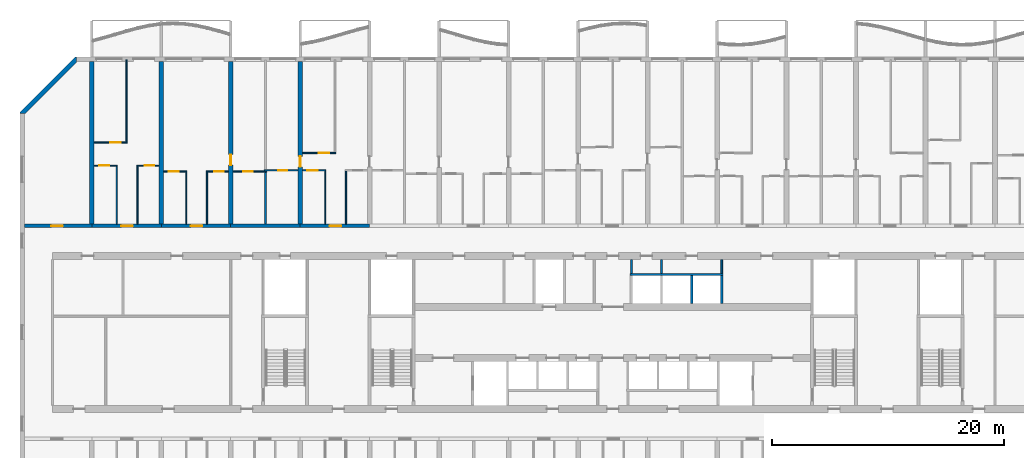
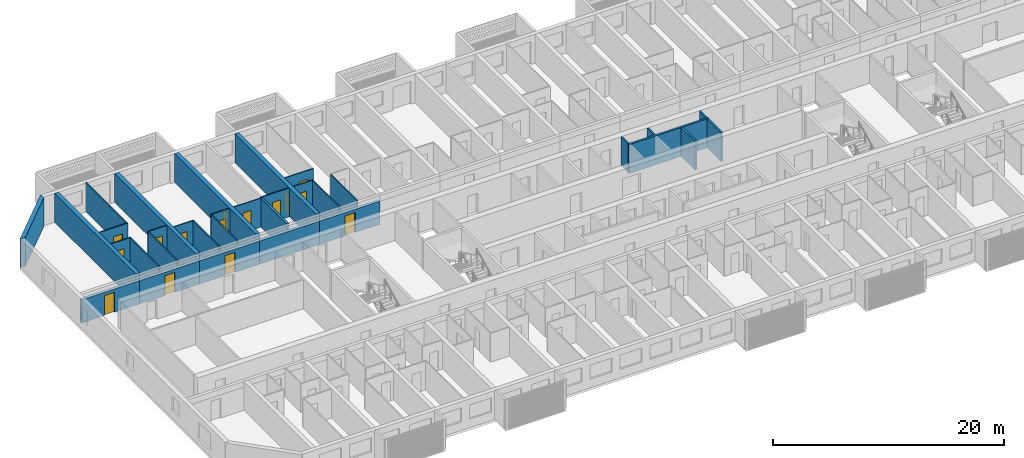
# One storey, part 10 of 40: 33 walls, 15 doors, 15 openings.
"""IFC4 building model written with IfcOpenShell, lengths in metres."""

import ifcopenshell
import ifcopenshell.guid

model = None  # the IFC model being written
_history = None  # IfcOwnerHistory: only IFC2X3 demands one
_inside = {}  # id of a spatial element -> (the spatial element, [elements in it])
_under = {}  # id of a project, library or spatial element -> (it, [spatial elements below it])
_declared = {}  # id of a project -> (the project, [libraries it declares])
_typed = {}  # id of a type object -> (the type object, [elements of that type])
_made_of = {}  # id of a material, layer set ... -> (it, [elements and type objects made of it])


def new_model(schema):
    """Start an empty IFC model of exactly this schema.

    Asked for "IFC4X3", IfcOpenShell would pick the latest addendum, in which some entities
    have other attributes; the version numbers below select the first issue.
    IFC2X3 requires an IfcOwnerHistory on every rooted entity: one is made here for all.
    """
    global model, _history
    if schema == "IFC4X3":
        model = ifcopenshell.file(schema_version=(4, 3, 0, 0))
    else:
        model = ifcopenshell.file(schema=schema)
    _inside.clear()
    _under.clear()
    _declared.clear()
    _typed.clear()
    _made_of.clear()
    _history = None
    if model.schema == "IFC2X3":
        org = make("IfcOrganization", Name="unknown")
        user = make(
            "IfcPersonAndOrganization",
            ThePerson=make("IfcPerson", FamilyName="unknown"),
            TheOrganization=org,
        )
        app = make(
            "IfcApplication",
            ApplicationDeveloper=org,
            Version="unknown",
            ApplicationFullName="unknown",
            ApplicationIdentifier="unknown",
        )
        _history = make(
            "IfcOwnerHistory",
            OwningUser=user,
            OwningApplication=app,
            ChangeAction="ADDED",
            CreationDate=0,
        )
    return model


def make(cls, **values):
    """One entity of the class cls with the attributes given. An attribute that is None is left unset."""
    return model.create_entity(
        cls, **{name: value for name, value in values.items() if value is not None}
    )


def rooted(cls, **values):
    """An entity with a GlobalId (a new one), such as an element, a storey or a relation."""
    return make(cls, GlobalId=ifcopenshell.guid.new(), OwnerHistory=_history, **values)


def si_unit(unit_type, name, prefix=None):
    """IfcSIUnit, for example si_unit("LENGTHUNIT", "METRE", prefix="MILLI")."""
    return make("IfcSIUnit", UnitType=unit_type, Prefix=prefix, Name=name)


def assignment(units):
    """IfcUnitAssignment: the units of a project."""
    return None if units is None else make("IfcUnitAssignment", Units=units)


def point(xyz):
    """IfcCartesianPoint."""
    return None if xyz is None else make("IfcCartesianPoint", Coordinates=xyz)


def direction(xyz):
    """IfcDirection."""
    return None if xyz is None else make("IfcDirection", DirectionRatios=xyz)


def frame(location, z_axis=None, x_axis=None):
    """IfcAxis2Placement3D, a coordinate frame: its origin and axes. An axis left out is left unset."""
    return make(
        "IfcAxis2Placement3D",
        Location=point(location),
        Axis=direction(z_axis),
        RefDirection=direction(x_axis),
    )


def frame_2d(location, x_axis=None):
    """IfcAxis2Placement2D, a coordinate frame in the plane: its origin and x axis."""
    return make(
        "IfcAxis2Placement2D", Location=point(location), RefDirection=direction(x_axis)
    )


def origin():
    """The frame at (0, 0, 0) with its axes left unset."""
    return frame((0.0, 0.0, 0.0))


def place(relative_to, where):
    """IfcLocalPlacement: puts the frame where relative to a parent placement (None: the world)."""
    return make(
        "IfcLocalPlacement", PlacementRelTo=relative_to, RelativePlacement=where
    )


def context(
    kind, dimensions, precision=None, world=None, true_north=None, identifier=None
):
    """IfcGeometricRepresentationContext, for example the 3D "Model" context."""
    return make(
        "IfcGeometricRepresentationContext",
        ContextIdentifier=identifier,
        ContextType=kind,
        CoordinateSpaceDimension=dimensions,
        Precision=precision,
        WorldCoordinateSystem=world,
        TrueNorth=true_north,
    )


def subcontext(parent, identifier, kind, view, scale=None):
    """IfcGeometricRepresentationSubContext, for example "Body" below "Model"."""
    return make(
        "IfcGeometricRepresentationSubContext",
        ContextIdentifier=identifier,
        ContextType=kind,
        ParentContext=parent,
        TargetScale=scale,
        TargetView=view,
    )


def project(units=None, contexts=None):
    """IfcProject with its units and contexts."""
    return rooted(
        "IfcProject",
        Name="project",
        RepresentationContexts=contexts,
        UnitsInContext=assignment(units),
    )


def spatial(cls, under=None, at=None, **own):
    """A site, building, storey or space (cls), placed at a placement, below another one or the project."""
    s = rooted(cls, ObjectPlacement=at, **own)
    if under is not None:
        _under.setdefault(under.id(), (under, []))[1].append(s)
    return s


def polyline(points):
    """IfcPolyline through the points."""
    return make("IfcPolyline", Points=[point(p) for p in points])


def profile(cls, at=None, kind="AREA", **sizes):
    """A parametric profile (cls). Its sizes go by their IFC names, for example OverallWidth=200.0."""
    return make(cls, ProfileType=kind, Position=at, **sizes)


def rectangle(**sizes):
    """IfcRectangleProfileDef."""
    return profile("IfcRectangleProfileDef", **sizes)


def outline(outer, holes=None, kind="AREA"):
    """IfcArbitraryClosedProfileDef: a profile drawn as a closed curve; with holes, ...WithVoids."""
    if holes is None:
        return make("IfcArbitraryClosedProfileDef", ProfileType=kind, OuterCurve=outer)
    return make(
        "IfcArbitraryProfileDefWithVoids",
        ProfileType=kind,
        OuterCurve=outer,
        InnerCurves=holes,
    )


def extrude(swept, where, along, depth):
    """IfcExtrudedAreaSolid: the profile swept, set in the frame where, extruded along a direction by depth."""
    return make(
        "IfcExtrudedAreaSolid",
        SweptArea=swept,
        Position=where,
        ExtrudedDirection=direction(along),
        Depth=depth,
    )


def shape(context_of_items, identifier, shape_type, items):
    """IfcShapeRepresentation: the items that make up one representation, for example the "Body"."""
    return make(
        "IfcShapeRepresentation",
        ContextOfItems=context_of_items,
        RepresentationIdentifier=identifier,
        RepresentationType=shape_type,
        Items=items,
    )


def material(Name=None, Category=None):
    """IfcMaterial."""
    return make("IfcMaterial", Name=Name, Category=Category)


def layer(
    of_material, thickness, ventilated=None, Name=None, Category=None, Priority=None
):
    """IfcMaterialLayer: one layer of a wall or slab, of a material (None: an air gap)."""
    return make(
        "IfcMaterialLayer",
        Material=of_material,
        LayerThickness=thickness,
        IsVentilated=ventilated,
        Name=Name,
        Category=Category,
        Priority=Priority,
    )


def layer_set(layers, Name=None):
    """IfcMaterialLayerSet."""
    return make("IfcMaterialLayerSet", MaterialLayers=layers, LayerSetName=Name)


def made_of(thing, what):
    """Note that an element or type object is made of a material, layer set ...; save() writes the relation."""
    if what is not None:
        _made_of.setdefault(what.id(), (what, []))[1].append(thing)
    return thing


def type_object(cls, material=None, **own):
    """A type object (cls), such as IfcWallType, which elements share."""
    return made_of(rooted(cls, **own), material)


def element(
    cls,
    number,
    at=None,
    inside=None,
    cuts=None,
    type_object=None,
    material=None,
    context=None,
    identifier="Body",
    shape_type=None,
    held_by="IfcProductDefinitionShape",
    body=None,
    shapes=None,
    **own,
):
    """One element of the class cls, such as IfcWall. Its Tag is "e" and its number.

    at: its placement. inside: the storey or other place that contains it. cuts: it is an
    opening in that element (IfcRelVoidsElement). A single representation is given by context,
    identifier, shape_type and body (its items); several are given by shapes. held_by: the class
    of the entity that holds the representations. save() writes the other relations.
    """
    e = rooted(cls, Tag="e%d" % number, ObjectPlacement=at, **own)
    if body is not None:
        shapes = [shape(context, identifier, shape_type, body)]
    if shapes is not None:
        e.Representation = make(held_by, Representations=shapes)
    if inside is not None:
        _inside.setdefault(inside.id(), (inside, []))[1].append(e)
    if cuts is not None:
        rooted(
            "IfcRelVoidsElement", RelatingBuildingElement=cuts, RelatedOpeningElement=e
        )
    if type_object is not None:
        _typed.setdefault(type_object.id(), (type_object, []))[1].append(e)
    return made_of(e, material)


def fill(opening, filler):
    """IfcRelFillsElement: the door or window that sits in an opening."""
    return rooted(
        "IfcRelFillsElement",
        RelatingOpeningElement=opening,
        RelatedBuildingElement=filler,
    )


def aggregate(whole, parts):
    """IfcRelAggregates: a whole, such as a stair, and the parts it consists of."""
    return rooted("IfcRelAggregates", RelatingObject=whole, RelatedObjects=parts)


def save(model, path):
    """Write the relations noted so far, then the file.

    IfcRelAggregates (storeys below a building ...), IfcRelContainedInSpatialStructure (elements
    in a storey), IfcRelDefinesByType, IfcRelAssociatesMaterial and IfcRelDeclares: one each for
    every whole, place, type object, material and project.
    """
    for whole, parts in _under.values():
        aggregate(whole, parts)
    for where, things in _inside.values():
        rooted(
            "IfcRelContainedInSpatialStructure",
            RelatedElements=things,
            RelatingStructure=where,
        )
    for kind, things in _typed.values():
        rooted("IfcRelDefinesByType", RelatedObjects=things, RelatingType=kind)
    for what, things in _made_of.values():
        rooted("IfcRelAssociatesMaterial", RelatedObjects=things, RelatingMaterial=what)
    for by, libraries in _declared.values():
        rooted("IfcRelDeclares", RelatingContext=by, RelatedDefinitions=libraries)
    model.write(path)


model = new_model("IFC4")

# Units and contexts
model_context = context("Model", 3, precision=1e-05, world=origin(), true_north=direction((0.0, 1.0)))
body_context = subcontext(model_context, "Body", "Model", "MODEL_VIEW")
ifc_project = project(units=[si_unit("LENGTHUNIT", "METRE"), si_unit("AREAUNIT", "SQUARE_METRE"), si_unit("VOLUMEUNIT", "CUBIC_METRE"), si_unit("PLANEANGLEUNIT", "RADIAN"), si_unit("MASSUNIT", "GRAM", prefix="KILO")], contexts=[model_context])

# Site, building, storey
site_placement = place(None, origin())
site = spatial("IfcSite", under=ifc_project, at=site_placement, CompositionType="ELEMENT")
building_placement = place(site_placement, origin())
building = spatial("IfcBuilding", under=site, at=building_placement, Name="Poui Terraces", CompositionType="ELEMENT")
storey_placement = place(building_placement, frame((0.0, 0.0, 33.300048828125)))
storey = spatial("IfcBuildingStorey", under=building, at=storey_placement, Name="L08", CompositionType="ELEMENT", Elevation=33.300048828125)

# Wall
ifc_material_1 = material(Name="Fire-rated plasterboard wall")
ifc_layer_1 = layer(ifc_material_1, 0.14990234375)
ifc_layer_set_1 = layer_set([ifc_layer_1], Name="Fire-rated plasterboard wall")
wall_type_1 = type_object("IfcWallType", Name="CORRIDOR WALL 150", PredefinedType="PARTITIONING", material=ifc_layer_set_1)
wall_1_placement = place(storey_placement, frame((52.60009765625, 26.300048828125, 0.0), z_axis=(0.0, 0.0, 1.0), x_axis=(0.0, 1.0, 0.0)))
element("IfcWall", 1, at=wall_1_placement, inside=storey, type_object=wall_type_1, Name="CORRIDOR WALL 150", PredefinedType="PARTITIONING", context=body_context, shape_type="SweptSolid", body=[
    extrude(rectangle(XDim=1.18994140625, YDim=0.14990234375, at=frame_2d((0.594970703125, 0.0))), origin(), (0.0, 0.0, 1.0), 3.050048828125),
])

# Wall, opening, door
ifc_material_2 = material(Name="Concrete 80 MPa", Category="concrete")
ifc_layer_2 = layer(ifc_material_2, 0.300048828125)
ifc_layer_set_2 = layer_set([ifc_layer_2], Name="Concrete 80 MPa")
wall_type_2 = type_object("IfcWallType", Name="CORRIDOR WALL 300 80MPa", PredefinedType="SHEAR", material=ifc_layer_set_2)
wall_2_placement = place(storey_placement, frame((0.199951171875, 30.39990234375, 0.0), z_axis=(0.0, 0.0, 1.0), x_axis=(1.0, 0.0, 0.0)))
wall_2 = element("IfcWall", 2, at=wall_2_placement, inside=storey, type_object=wall_type_2, Name="CORRIDOR WALL LINE E BAY 1", PredefinedType="SHEAR", context=body_context, shape_type="SweptSolid", body=[
    extrude(rectangle(XDim=5.800048828125, YDim=0.300048828125, at=frame_2d((2.89990234375, 0.0))), origin(), (0.0, 0.0, 1.0), 2.449951171875),
])
opening_1_placement = place(wall_2_placement, frame((2.300048828125, 0.0, 0.0)))
opening_1 = element("IfcOpeningElement", 3, at=opening_1_placement, cuts=wall_2, Name="Opening D100", PredefinedType="OPENING", context=body_context, shape_type="SweptSolid", body=[
    extrude(rectangle(XDim=1.0, YDim=2.10009765625, at=frame_2d((0.5, 1.050048828125))), frame((0.0, 0.16015625, 0.0), z_axis=(0.0, -1.0, 0.0), x_axis=(1.0, 0.0, 0.0)), (0.0, 0.0, 1.0), 0.320068359375),
])
ifc_material_3 = material(Name="Solid core timber door", Category="wood")
door_type_1 = type_object("IfcDoorType", Name="ACCESSIBLE INTERNAL DOOR 1000 X 2100", OperationType="NOTDEFINED", PredefinedType="DOOR", material=ifc_material_3)
door_1_placement = place(opening_1_placement, origin())
door_1 = element("IfcDoor", 4, at=door_1_placement, inside=storey, type_object=door_type_1, Name="ACCESSIBLE INTERNAL DOOR 030", OperationType="SINGLE_SWING_LEFT", OverallHeight=2.10009765625, OverallWidth=1.0, PredefinedType="DOOR", context=body_context, shape_type="SweptSolid", body=[
    extrude(rectangle(XDim=1.0, YDim=2.10009765625, at=frame_2d((0.5, 1.050048828125))), frame((0.0, 0.02490234375, 0.0), z_axis=(0.0, -1.0, 0.0), x_axis=(1.0, 0.0, 0.0)), (0.0, 0.0, 1.0), 0.050048828125),
])
fill(opening_1, door_1)

wall_3_placement = place(storey_placement, frame((6.0, 30.39990234375, 0.0), z_axis=(0.0, 0.0, 1.0), x_axis=(1.0, 0.0, 0.0)))
wall_3 = element("IfcWall", 5, at=wall_3_placement, inside=storey, type_object=wall_type_2, Name="CORRIDOR WALL LINE E BAY 2", PredefinedType="SHEAR", context=body_context, shape_type="SweptSolid", body=[
    extrude(rectangle(XDim=6.0, YDim=0.300048828125, at=frame_2d((3.0, 0.0))), origin(), (0.0, 0.0, 1.0), 2.449951171875),
])
opening_2_placement = place(wall_3_placement, frame((2.550048828125, 0.0, 0.0)))
opening_2 = element("IfcOpeningElement", 6, at=opening_2_placement, cuts=wall_3, Name="Opening FD30S", PredefinedType="OPENING", context=body_context, shape_type="SweptSolid", body=[
    extrude(rectangle(XDim=1.0, YDim=2.10009765625, at=frame_2d((0.5, 1.050048828125))), frame((0.0, 0.16015625, 0.0), z_axis=(0.0, -1.0, 0.0), x_axis=(1.0, 0.0, 0.0)), (0.0, 0.0, 1.0), 0.320068359375),
])
ifc_material_4 = material(Name="Steel fire door", Category="steel")
door_type_2 = type_object("IfcDoorType", Name="FLAT ENTRANCE DOOR 1000 X 2100", OperationType="NOTDEFINED", PredefinedType="DOOR", material=ifc_material_4)
door_2_placement = place(opening_2_placement, origin())
door_2 = element("IfcDoor", 7, at=door_2_placement, inside=storey, type_object=door_type_2, Name="FLAT ENTRANCE DOOR 033", OperationType="SINGLE_SWING_RIGHT", OverallHeight=2.10009765625, OverallWidth=1.0, PredefinedType="DOOR", context=body_context, shape_type="SweptSolid", body=[
    extrude(rectangle(XDim=1.0, YDim=2.10009765625, at=frame_2d((0.5, 1.050048828125))), frame((0.0, 0.02490234375, 0.0), z_axis=(0.0, -1.0, 0.0), x_axis=(1.0, 0.0, 0.0)), (0.0, 0.0, 1.0), 0.050048828125),
])
fill(opening_2, door_2)

wall_4_placement = place(storey_placement, frame((12.0, 30.39990234375, 0.0), z_axis=(0.0, 0.0, 1.0), x_axis=(1.0, 0.0, 0.0)))
wall_4 = element("IfcWall", 8, at=wall_4_placement, inside=storey, type_object=wall_type_2, Name="CORRIDOR WALL LINE E BAY 3", PredefinedType="SHEAR", context=body_context, shape_type="SweptSolid", body=[
    extrude(rectangle(XDim=6.0, YDim=0.300048828125, at=frame_2d((3.0, 0.0))), origin(), (0.0, 0.0, 1.0), 2.449951171875),
])
opening_3_placement = place(wall_4_placement, frame((2.550048828125, 0.0, 0.0)))
opening_3 = element("IfcOpeningElement", 9, at=opening_3_placement, cuts=wall_4, Name="Opening FD30S", PredefinedType="OPENING", context=body_context, shape_type="SweptSolid", body=[
    extrude(rectangle(XDim=1.0, YDim=2.10009765625, at=frame_2d((0.5, 1.050048828125))), frame((0.0, 0.16015625, 0.0), z_axis=(0.0, -1.0, 0.0), x_axis=(1.0, 0.0, 0.0)), (0.0, 0.0, 1.0), 0.320068359375),
])
door_3_placement = place(opening_3_placement, origin())
door_3 = element("IfcDoor", 10, at=door_3_placement, inside=storey, type_object=door_type_2, Name="FLAT ENTRANCE DOOR 037", OperationType="SINGLE_SWING_RIGHT", OverallHeight=2.10009765625, OverallWidth=1.0, PredefinedType="DOOR", context=body_context, shape_type="SweptSolid", body=[
    extrude(rectangle(XDim=1.0, YDim=2.10009765625, at=frame_2d((0.5, 1.050048828125))), frame((0.0, 0.02490234375, 0.0), z_axis=(0.0, -1.0, 0.0), x_axis=(1.0, 0.0, 0.0)), (0.0, 0.0, 1.0), 0.050048828125),
])
fill(opening_3, door_3)

# Wall
wall_5_placement = place(storey_placement, frame((18.0, 30.39990234375, 0.0), z_axis=(0.0, 0.0, 1.0), x_axis=(1.0, 0.0, 0.0)))
element("IfcWall", 11, at=wall_5_placement, inside=storey, type_object=wall_type_2, Name="CORRIDOR WALL LINE E BAY 4", PredefinedType="SHEAR", context=body_context, shape_type="SweptSolid", body=[
    extrude(rectangle(XDim=6.0, YDim=0.300048828125, at=frame_2d((3.0, 0.0))), origin(), (0.0, 0.0, 1.0), 2.449951171875),
])

# Wall, opening, door
wall_6_placement = place(storey_placement, frame((24.0, 30.39990234375, 0.0), z_axis=(0.0, 0.0, 1.0), x_axis=(1.0, 0.0, 0.0)))
wall_6 = element("IfcWall", 12, at=wall_6_placement, inside=storey, type_object=wall_type_2, Name="CORRIDOR WALL LINE E BAY 5", PredefinedType="SHEAR", context=body_context, shape_type="SweptSolid", body=[
    extrude(rectangle(XDim=6.0, YDim=0.300048828125, at=frame_2d((3.0, 0.0))), origin(), (0.0, 0.0, 1.0), 2.449951171875),
])
opening_4_placement = place(wall_6_placement, frame((2.550048828125, 0.0, 0.0)))
opening_4 = element("IfcOpeningElement", 13, at=opening_4_placement, cuts=wall_6, Name="Opening FD30S", PredefinedType="OPENING", context=body_context, shape_type="SweptSolid", body=[
    extrude(rectangle(XDim=1.0, YDim=2.10009765625, at=frame_2d((0.5, 1.050048828125))), frame((0.0, 0.16015625, 0.0), z_axis=(0.0, -1.0, 0.0), x_axis=(1.0, 0.0, 0.0)), (0.0, 0.0, 1.0), 0.320068359375),
])
door_4_placement = place(opening_4_placement, origin())
door_4 = element("IfcDoor", 14, at=door_4_placement, inside=storey, type_object=door_type_2, Name="FLAT ENTRANCE DOOR 045", OperationType="SINGLE_SWING_RIGHT", OverallHeight=2.10009765625, OverallWidth=1.0, PredefinedType="DOOR", context=body_context, shape_type="SweptSolid", body=[
    extrude(rectangle(XDim=1.0, YDim=2.10009765625, at=frame_2d((0.5, 1.050048828125))), frame((0.0, 0.02490234375, 0.0), z_axis=(0.0, -1.0, 0.0), x_axis=(1.0, 0.0, 0.0)), (0.0, 0.0, 1.0), 0.050048828125),
])
fill(opening_4, door_4)

# Walls
ifc_layer_3 = layer(ifc_material_2, 0.39990234375)
ifc_layer_set_3 = layer_set([ifc_layer_3], Name="Concrete 80 MPa")
wall_type_3 = type_object("IfcWallType", Name="CROSS WALL 400 80MPa", PredefinedType="SHEAR", material=ifc_layer_set_3)
for number, where, z_axis, x_axis, name in (
    (15, (6.0, 30.550048828125, 0.0), (0.0, 0.0, 1.0), (0.0, 1.0, 0.0), "CROSS WALL LINE 2 NORTH"),
    (16, (12.0, 30.550048828125, 0.0), (0.0, 0.0, 1.0), (0.0, 1.0, 0.0), "CROSS WALL LINE 3 NORTH"),
):
    element("IfcWall", number, at=place(storey_placement, frame(where, z_axis=z_axis, x_axis=x_axis)), inside=storey, type_object=wall_type_3, Name=name, PredefinedType="SHEAR", context=body_context, shape_type="SweptSolid", body=[
        extrude(rectangle(XDim=14.050048828125, YDim=0.39990234375, at=frame_2d((7.02490234375, 0.0))), origin(), (0.0, 0.0, 1.0), 3.050048828125),
    ])

# Wall, opening, door
wall_7_placement = place(storey_placement, frame((18.0, 30.550048828125, 0.0), z_axis=(0.0, 0.0, 1.0), x_axis=(0.0, 1.0, 0.0)))
wall_7 = element("IfcWall", 17, at=wall_7_placement, inside=storey, type_object=wall_type_3, Name="CROSS WALL LINE 4 NORTH", PredefinedType="SHEAR", context=body_context, shape_type="SweptSolid", body=[
    extrude(rectangle(XDim=14.050048828125, YDim=0.39990234375, at=frame_2d((7.02490234375, 0.0))), origin(), (0.0, 0.0, 1.0), 3.050048828125),
])
opening_5_placement = place(wall_7_placement, frame((5.10009765625, 0.0, 0.0)))
opening_5 = element("IfcOpeningElement", 18, at=opening_5_placement, cuts=wall_7, Name="Opening D90", PredefinedType="OPENING", context=body_context, shape_type="SweptSolid", body=[
    extrude(rectangle(XDim=0.89990234375, YDim=2.10009765625, at=frame_2d((0.449951171875, 1.050048828125))), frame((0.0, 0.2099609375, 0.0), z_axis=(0.0, -1.0, 0.0), x_axis=(1.0, 0.0, 0.0)), (0.0, 0.0, 1.0), 0.419921875),
])
door_type_3 = type_object("IfcDoorType", Name="INTERNAL DOOR 900 X 2100", OperationType="NOTDEFINED", PredefinedType="DOOR", material=ifc_material_3)
door_5_placement = place(opening_5_placement, frame((0.89990234375, 0.0, 0.0), z_axis=(0.0, 0.0, 1.0), x_axis=(-1.0, 0.0, 0.0)))
door_5 = element("IfcDoor", 19, at=door_5_placement, inside=storey, type_object=door_type_3, Name="INTERNAL DOOR 039", OperationType="SINGLE_SWING_RIGHT", OverallHeight=2.10009765625, OverallWidth=0.89990234375, PredefinedType="DOOR", context=body_context, shape_type="SweptSolid", body=[
    extrude(rectangle(XDim=0.89990234375, YDim=2.10009765625, at=frame_2d((0.449951171875, 1.050048828125))), frame((0.0, 0.02490234375, 0.0), z_axis=(0.0, -1.0, 0.0), x_axis=(1.0, 0.0, 0.0)), (0.0, 0.0, 1.0), 0.050048828125),
])
fill(opening_5, door_5)

wall_8_placement = place(storey_placement, frame((24.0, 30.550048828125, 0.0), z_axis=(0.0, 0.0, 1.0), x_axis=(0.0, 1.0, 0.0)))
wall_8 = element("IfcWall", 20, at=wall_8_placement, inside=storey, type_object=wall_type_3, Name="CROSS WALL LINE 5 NORTH", PredefinedType="SHEAR", context=body_context, shape_type="SweptSolid", body=[
    extrude(rectangle(XDim=14.050048828125, YDim=0.39990234375, at=frame_2d((7.02490234375, 0.0))), origin(), (0.0, 0.0, 1.0), 3.050048828125),
])
opening_6_placement = place(wall_8_placement, frame((4.949951171875, 0.0, 0.0)))
opening_6 = element("IfcOpeningElement", 21, at=opening_6_placement, cuts=wall_8, Name="Opening D90", PredefinedType="OPENING", context=body_context, shape_type="SweptSolid", body=[
    extrude(rectangle(XDim=0.89990234375, YDim=2.10009765625, at=frame_2d((0.449951171875, 1.050048828125))), frame((0.0, 0.2099609375, 0.0), z_axis=(0.0, -1.0, 0.0), x_axis=(1.0, 0.0, 0.0)), (0.0, 0.0, 1.0), 0.419921875),
])
door_6_placement = place(opening_6_placement, origin())
door_6 = element("IfcDoor", 22, at=door_6_placement, inside=storey, type_object=door_type_3, Name="INTERNAL DOOR 042", OperationType="SINGLE_SWING_LEFT", OverallHeight=2.10009765625, OverallWidth=0.89990234375, PredefinedType="DOOR", context=body_context, shape_type="SweptSolid", body=[
    extrude(rectangle(XDim=0.89990234375, YDim=2.10009765625, at=frame_2d((0.449951171875, 1.050048828125))), frame((0.0, 0.02490234375, 0.0), z_axis=(0.0, -1.0, 0.0), x_axis=(1.0, 0.0, 0.0)), (0.0, 0.0, 1.0), 0.050048828125),
])
fill(opening_6, door_6)

ifc_material_5 = material(Name="Plasterboard partition")
ifc_layer_4 = layer(ifc_material_5, 0.10009765625)
ifc_layer_set_4 = layer_set([ifc_layer_4], Name="Plasterboard partition")
wall_type_4 = type_object("IfcWallType", Name="FLAT PARTITION 100", PredefinedType="PARTITIONING", material=ifc_layer_set_4)
wall_9_placement = place(storey_placement, frame((12.2099609375, 35.10009765625, 0.0), z_axis=(0.0, 0.0, 1.0), x_axis=(1.0, 0.0, 0.0)))
wall_9 = element("IfcWall", 23, at=wall_9_placement, inside=storey, type_object=wall_type_4, Name="FLAT PARTITION 100", PredefinedType="PARTITIONING", context=body_context, shape_type="SweptSolid", body=[
    extrude(rectangle(XDim=1.989990234375, YDim=0.10009765625, at=frame_2d((0.9951171875, 0.0))), origin(), (0.0, 0.0, 1.0), 3.050048828125),
])
opening_7_placement = place(wall_9_placement, frame((0.4150390625, 0.0, 0.0)))
opening_7 = element("IfcOpeningElement", 24, at=opening_7_placement, cuts=wall_9, Name="Opening D90", PredefinedType="OPENING", context=body_context, shape_type="SweptSolid", body=[
    extrude(rectangle(XDim=0.89990234375, YDim=2.10009765625, at=frame_2d((0.449951171875, 1.050048828125))), frame((0.0, 0.06005859375, 0.0), z_axis=(0.0, -1.0, 0.0), x_axis=(1.0, 0.0, 0.0)), (0.0, 0.0, 1.0), 0.1201171875),
])
door_7_placement = place(opening_7_placement, frame((0.89990234375, 0.0, 0.0), z_axis=(0.0, 0.0, 1.0), x_axis=(-1.0, 0.0, 0.0)))
door_7 = element("IfcDoor", 25, at=door_7_placement, inside=storey, type_object=door_type_3, Name="INTERNAL DOOR 036", OperationType="SINGLE_SWING_LEFT", OverallHeight=2.10009765625, OverallWidth=0.89990234375, PredefinedType="DOOR", context=body_context, shape_type="SweptSolid", body=[
    extrude(rectangle(XDim=0.89990234375, YDim=2.10009765625, at=frame_2d((0.449951171875, 1.050048828125))), frame((0.0, 0.02490234375, 0.0), z_axis=(0.0, -1.0, 0.0), x_axis=(1.0, 0.0, 0.0)), (0.0, 0.0, 1.0), 0.050048828125),
])
fill(opening_7, door_7)

wall_10_placement = place(storey_placement, frame((15.89990234375, 35.10009765625, 0.0), z_axis=(0.0, 0.0, 1.0), x_axis=(1.0, 0.0, 0.0)))
wall_10 = element("IfcWall", 26, at=wall_10_placement, inside=storey, type_object=wall_type_4, Name="FLAT PARTITION 100", PredefinedType="PARTITIONING", context=body_context, shape_type="SweptSolid", body=[
    extrude(rectangle(XDim=1.89013671875, YDim=0.10009765625, at=frame_2d((0.945068359375, 0.0))), origin(), (0.0, 0.0, 1.0), 3.050048828125),
])
opening_8_placement = place(wall_10_placement, frame((0.675048828125, 0.0, 0.0)))
opening_8 = element("IfcOpeningElement", 27, at=opening_8_placement, cuts=wall_10, Name="Opening D80", PredefinedType="OPENING", context=body_context, shape_type="SweptSolid", body=[
    extrude(rectangle(XDim=0.800048828125, YDim=2.10009765625, at=frame_2d((0.39990234375, 1.050048828125))), frame((0.0, 0.06005859375, 0.0), z_axis=(0.0, -1.0, 0.0), x_axis=(1.0, 0.0, 0.0)), (0.0, 0.0, 1.0), 0.1201171875),
])
door_type_4 = type_object("IfcDoorType", Name="BATHROOM, LAUNDRY AND STORE DOOR 800 X 2100", OperationType="NOTDEFINED", PredefinedType="DOOR", material=ifc_material_3)
door_8_placement = place(opening_8_placement, frame((0.800048828125, 0.0, 0.0), z_axis=(0.0, 0.0, 1.0), x_axis=(-1.0, 0.0, 0.0)))
door_8 = element("IfcDoor", 28, at=door_8_placement, inside=storey, type_object=door_type_4, Name="BATHROOM, LAUNDRY AND STORE DOOR 038", OperationType="SINGLE_SWING_RIGHT", OverallHeight=2.10009765625, OverallWidth=0.800048828125, PredefinedType="DOOR", context=body_context, shape_type="SweptSolid", body=[
    extrude(rectangle(XDim=0.800048828125, YDim=2.10009765625, at=frame_2d((0.39990234375, 1.050048828125))), frame((0.0, 0.02490234375, 0.0), z_axis=(0.0, -1.0, 0.0), x_axis=(1.0, 0.0, 0.0)), (0.0, 0.0, 1.0), 0.050048828125),
])
fill(opening_8, door_8)

wall_11_placement = place(storey_placement, frame((18.2099609375, 35.10009765625, 0.0), z_axis=(0.0, 0.0, 1.0), x_axis=(1.0, 0.0, 0.0)))
wall_11 = element("IfcWall", 29, at=wall_11_placement, inside=storey, type_object=wall_type_4, Name="FLAT PARTITION 100", PredefinedType="PARTITIONING", context=body_context, shape_type="SweptSolid", body=[
    extrude(rectangle(XDim=2.89013671875, YDim=0.10009765625, at=frame_2d((1.445068359375, 0.0))), origin(), (0.0, 0.0, 1.0), 3.050048828125),
])
opening_9_placement = place(wall_11_placement, frame((0.889892578125, 0.0, 0.0)))
opening_9 = element("IfcOpeningElement", 30, at=opening_9_placement, cuts=wall_11, Name="Opening D80", PredefinedType="OPENING", context=body_context, shape_type="SweptSolid", body=[
    extrude(rectangle(XDim=0.800048828125, YDim=2.10009765625, at=frame_2d((0.39990234375, 1.050048828125))), frame((0.0, 0.06005859375, 0.0), z_axis=(0.0, -1.0, 0.0), x_axis=(1.0, 0.0, 0.0)), (0.0, 0.0, 1.0), 0.1201171875),
])
door_9_placement = place(opening_9_placement, frame((0.800048828125, 0.0, 0.0), z_axis=(0.0, 0.0, 1.0), x_axis=(-1.0, 0.0, 0.0)))
door_9 = element("IfcDoor", 31, at=door_9_placement, inside=storey, type_object=door_type_4, Name="BATHROOM, LAUNDRY AND STORE DOOR 035", OperationType="SINGLE_SWING_RIGHT", OverallHeight=2.10009765625, OverallWidth=0.800048828125, PredefinedType="DOOR", context=body_context, shape_type="SweptSolid", body=[
    extrude(rectangle(XDim=0.800048828125, YDim=2.10009765625, at=frame_2d((0.39990234375, 1.050048828125))), frame((0.0, 0.02490234375, 0.0), z_axis=(0.0, -1.0, 0.0), x_axis=(1.0, 0.0, 0.0)), (0.0, 0.0, 1.0), 0.050048828125),
])
fill(opening_9, door_9)

wall_12_placement = place(storey_placement, frame((20.89990234375, 35.199951171875, 0.0), z_axis=(0.0, 0.0, 1.0), x_axis=(1.0, 0.0, 0.0)))
wall_12 = element("IfcWall", 32, at=wall_12_placement, inside=storey, type_object=wall_type_4, Name="FLAT PARTITION 100", PredefinedType="PARTITIONING", context=body_context, shape_type="SweptSolid", body=[
    extrude(rectangle(XDim=2.89013671875, YDim=0.10009765625, at=frame_2d((1.445068359375, 0.0))), origin(), (0.0, 0.0, 1.0), 3.050048828125),
])
opening_10_placement = place(wall_12_placement, frame((1.199951171875, 0.0, 0.0)))
opening_10 = element("IfcOpeningElement", 33, at=opening_10_placement, cuts=wall_12, Name="Opening D80", PredefinedType="OPENING", context=body_context, shape_type="SweptSolid", body=[
    extrude(rectangle(XDim=0.800048828125, YDim=2.10009765625, at=frame_2d((0.39990234375, 1.050048828125))), frame((0.0, 0.06005859375, 0.0), z_axis=(0.0, -1.0, 0.0), x_axis=(1.0, 0.0, 0.0)), (0.0, 0.0, 1.0), 0.1201171875),
])
door_10_placement = place(opening_10_placement, frame((0.800048828125, 0.0, 0.0), z_axis=(0.0, 0.0, 1.0), x_axis=(-1.0, 0.0, 0.0)))
door_10 = element("IfcDoor", 34, at=door_10_placement, inside=storey, type_object=door_type_4, Name="BATHROOM, LAUNDRY AND STORE DOOR 040", OperationType="SINGLE_SWING_LEFT", OverallHeight=2.10009765625, OverallWidth=0.800048828125, PredefinedType="DOOR", context=body_context, shape_type="SweptSolid", body=[
    extrude(rectangle(XDim=0.800048828125, YDim=2.10009765625, at=frame_2d((0.39990234375, 1.050048828125))), frame((0.0, 0.02490234375, 0.0), z_axis=(0.0, -1.0, 0.0), x_axis=(1.0, 0.0, 0.0)), (0.0, 0.0, 1.0), 0.050048828125),
])
fill(opening_10, door_10)

wall_13_placement = place(storey_placement, frame((24.2099609375, 35.199951171875, 0.0), z_axis=(0.0, 0.0, 1.0), x_axis=(1.0, 0.0, 0.0)))
wall_13 = element("IfcWall", 35, at=wall_13_placement, inside=storey, type_object=wall_type_4, Name="FLAT PARTITION 100", PredefinedType="PARTITIONING", context=body_context, shape_type="SweptSolid", body=[
    extrude(rectangle(XDim=1.989990234375, YDim=0.10009765625, at=frame_2d((0.9951171875, 0.0))), origin(), (0.0, 0.0, 1.0), 3.050048828125),
])
opening_11_placement = place(wall_13_placement, frame((0.4150390625, 0.0, 0.0)))
opening_11 = element("IfcOpeningElement", 36, at=opening_11_placement, cuts=wall_13, Name="Opening D90", PredefinedType="OPENING", context=body_context, shape_type="SweptSolid", body=[
    extrude(rectangle(XDim=0.89990234375, YDim=2.10009765625, at=frame_2d((0.449951171875, 1.050048828125))), frame((0.0, 0.06005859375, 0.0), z_axis=(0.0, -1.0, 0.0), x_axis=(1.0, 0.0, 0.0)), (0.0, 0.0, 1.0), 0.1201171875),
])
door_11_placement = place(opening_11_placement, frame((0.89990234375, 0.0, 0.0), z_axis=(0.0, 0.0, 1.0), x_axis=(-1.0, 0.0, 0.0)))
door_11 = element("IfcDoor", 37, at=door_11_placement, inside=storey, type_object=door_type_3, Name="INTERNAL DOOR 043", OperationType="SINGLE_SWING_LEFT", OverallHeight=2.10009765625, OverallWidth=0.89990234375, PredefinedType="DOOR", context=body_context, shape_type="SweptSolid", body=[
    extrude(rectangle(XDim=0.89990234375, YDim=2.10009765625, at=frame_2d((0.449951171875, 1.050048828125))), frame((0.0, 0.02490234375, 0.0), z_axis=(0.0, -1.0, 0.0), x_axis=(1.0, 0.0, 0.0)), (0.0, 0.0, 1.0), 0.050048828125),
])
fill(opening_11, door_11)

wall_14_placement = place(storey_placement, frame((6.2099609375, 35.60009765625, 0.0), z_axis=(0.0, 0.0, 1.0), x_axis=(1.0, 0.0, 0.0)))
wall_14 = element("IfcWall", 38, at=wall_14_placement, inside=storey, type_object=wall_type_4, Name="FLAT PARTITION 100", PredefinedType="PARTITIONING", context=body_context, shape_type="SweptSolid", body=[
    extrude(rectangle(XDim=1.989990234375, YDim=0.10009765625, at=frame_2d((0.9951171875, 0.0))), origin(), (0.0, 0.0, 1.0), 3.050048828125),
])
opening_12_placement = place(wall_14_placement, frame((0.4150390625, 0.0, 0.0)))
opening_12 = element("IfcOpeningElement", 39, at=opening_12_placement, cuts=wall_14, Name="Opening D90", PredefinedType="OPENING", context=body_context, shape_type="SweptSolid", body=[
    extrude(rectangle(XDim=0.89990234375, YDim=2.10009765625, at=frame_2d((0.449951171875, 1.050048828125))), frame((0.0, 0.06005859375, 0.0), z_axis=(0.0, -1.0, 0.0), x_axis=(1.0, 0.0, 0.0)), (0.0, 0.0, 1.0), 0.1201171875),
])
door_12_placement = place(opening_12_placement, frame((0.89990234375, 0.0, 0.0), z_axis=(0.0, 0.0, 1.0), x_axis=(-1.0, 0.0, 0.0)))
door_12 = element("IfcDoor", 40, at=door_12_placement, inside=storey, type_object=door_type_3, Name="INTERNAL DOOR 031", OperationType="SINGLE_SWING_LEFT", OverallHeight=2.10009765625, OverallWidth=0.89990234375, PredefinedType="DOOR", context=body_context, shape_type="SweptSolid", body=[
    extrude(rectangle(XDim=0.89990234375, YDim=2.10009765625, at=frame_2d((0.449951171875, 1.050048828125))), frame((0.0, 0.02490234375, 0.0), z_axis=(0.0, -1.0, 0.0), x_axis=(1.0, 0.0, 0.0)), (0.0, 0.0, 1.0), 0.050048828125),
])
fill(opening_12, door_12)

wall_15_placement = place(storey_placement, frame((9.89990234375, 35.60009765625, 0.0), z_axis=(0.0, 0.0, 1.0), x_axis=(1.0, 0.0, 0.0)))
wall_15 = element("IfcWall", 41, at=wall_15_placement, inside=storey, type_object=wall_type_4, Name="FLAT PARTITION 100", PredefinedType="PARTITIONING", context=body_context, shape_type="SweptSolid", body=[
    extrude(rectangle(XDim=1.89013671875, YDim=0.10009765625, at=frame_2d((0.945068359375, 0.0))), origin(), (0.0, 0.0, 1.0), 3.050048828125),
])
opening_13_placement = place(wall_15_placement, frame((0.675048828125, 0.0, 0.0)))
opening_13 = element("IfcOpeningElement", 42, at=opening_13_placement, cuts=wall_15, Name="Opening D80", PredefinedType="OPENING", context=body_context, shape_type="SweptSolid", body=[
    extrude(rectangle(XDim=0.800048828125, YDim=2.10009765625, at=frame_2d((0.39990234375, 1.050048828125))), frame((0.0, 0.06005859375, 0.0), z_axis=(0.0, -1.0, 0.0), x_axis=(1.0, 0.0, 0.0)), (0.0, 0.0, 1.0), 0.1201171875),
])
door_13_placement = place(opening_13_placement, frame((0.800048828125, 0.0, 0.0), z_axis=(0.0, 0.0, 1.0), x_axis=(-1.0, 0.0, 0.0)))
door_13 = element("IfcDoor", 43, at=door_13_placement, inside=storey, type_object=door_type_4, Name="BATHROOM, LAUNDRY AND STORE DOOR 034", OperationType="SINGLE_SWING_RIGHT", OverallHeight=2.10009765625, OverallWidth=0.800048828125, PredefinedType="DOOR", context=body_context, shape_type="SweptSolid", body=[
    extrude(rectangle(XDim=0.800048828125, YDim=2.10009765625, at=frame_2d((0.39990234375, 1.050048828125))), frame((0.0, 0.02490234375, 0.0), z_axis=(0.0, -1.0, 0.0), x_axis=(1.0, 0.0, 0.0)), (0.0, 0.0, 1.0), 0.050048828125),
])
fill(opening_13, door_13)

wall_16_placement = place(storey_placement, frame((24.2099609375, 36.699951171875, 0.0), z_axis=(0.0, 0.0, 1.0), x_axis=(1.0, 0.0, 0.0)))
wall_16 = element("IfcWall", 44, at=wall_16_placement, inside=storey, type_object=wall_type_4, Name="FLAT PARTITION 100", PredefinedType="PARTITIONING", context=body_context, shape_type="SweptSolid", body=[
    extrude(rectangle(XDim=2.840087890625, YDim=0.10009765625, at=frame_2d((1.419921875, 0.0))), origin(), (0.0, 0.0, 1.0), 3.050048828125),
])
opening_14_placement = place(wall_16_placement, frame((1.389892578125, 0.0, 0.0)))
opening_14 = element("IfcOpeningElement", 45, at=opening_14_placement, cuts=wall_16, Name="Opening D90", PredefinedType="OPENING", context=body_context, shape_type="SweptSolid", body=[
    extrude(rectangle(XDim=0.89990234375, YDim=2.10009765625, at=frame_2d((0.449951171875, 1.050048828125))), frame((0.0, 0.06005859375, 0.0), z_axis=(0.0, -1.0, 0.0), x_axis=(1.0, 0.0, 0.0)), (0.0, 0.0, 1.0), 0.1201171875),
])
door_14_placement = place(opening_14_placement, frame((0.89990234375, 0.0, 0.0), z_axis=(0.0, 0.0, 1.0), x_axis=(-1.0, 0.0, 0.0)))
door_14 = element("IfcDoor", 46, at=door_14_placement, inside=storey, type_object=door_type_3, Name="INTERNAL DOOR 044", OperationType="SINGLE_SWING_RIGHT", OverallHeight=2.10009765625, OverallWidth=0.89990234375, PredefinedType="DOOR", context=body_context, shape_type="SweptSolid", body=[
    extrude(rectangle(XDim=0.89990234375, YDim=2.10009765625, at=frame_2d((0.449951171875, 1.050048828125))), frame((0.0, 0.02490234375, 0.0), z_axis=(0.0, -1.0, 0.0), x_axis=(1.0, 0.0, 0.0)), (0.0, 0.0, 1.0), 0.050048828125),
])
fill(opening_14, door_14)

wall_17_placement = place(storey_placement, frame((6.2099609375, 37.60009765625, 0.0), z_axis=(0.0, 0.0, 1.0), x_axis=(1.0, 0.0, 0.0)))
wall_17 = element("IfcWall", 47, at=wall_17_placement, inside=storey, type_object=wall_type_4, Name="FLAT PARTITION 100", PredefinedType="PARTITIONING", context=body_context, shape_type="SweptSolid", body=[
    extrude(rectangle(XDim=2.840087890625, YDim=0.10009765625, at=frame_2d((1.419921875, 0.0))), origin(), (0.0, 0.0, 1.0), 3.050048828125),
])
opening_15_placement = place(wall_17_placement, frame((1.389892578125, 0.0, 0.0)))
opening_15 = element("IfcOpeningElement", 48, at=opening_15_placement, cuts=wall_17, Name="Opening D90", PredefinedType="OPENING", context=body_context, shape_type="SweptSolid", body=[
    extrude(rectangle(XDim=0.89990234375, YDim=2.10009765625, at=frame_2d((0.449951171875, 1.050048828125))), frame((0.0, 0.06005859375, 0.0), z_axis=(0.0, -1.0, 0.0), x_axis=(1.0, 0.0, 0.0)), (0.0, 0.0, 1.0), 0.1201171875),
])
door_15_placement = place(opening_15_placement, frame((0.89990234375, 0.0, 0.0), z_axis=(0.0, 0.0, 1.0), x_axis=(-1.0, 0.0, 0.0)))
door_15 = element("IfcDoor", 49, at=door_15_placement, inside=storey, type_object=door_type_3, Name="INTERNAL DOOR 032", OperationType="SINGLE_SWING_RIGHT", OverallHeight=2.10009765625, OverallWidth=0.89990234375, PredefinedType="DOOR", context=body_context, shape_type="SweptSolid", body=[
    extrude(rectangle(XDim=0.89990234375, YDim=2.10009765625, at=frame_2d((0.449951171875, 1.050048828125))), frame((0.0, 0.02490234375, 0.0), z_axis=(0.0, -1.0, 0.0), x_axis=(1.0, 0.0, 0.0)), (0.0, 0.0, 1.0), 0.050048828125),
])
fill(opening_15, door_15)

# Walls
wall_18_placement = place(storey_placement, frame((8.14990234375, 30.56005859375, 0.0), z_axis=(0.0, 0.0, 1.0), x_axis=(0.0, 1.0, 0.0)))
element("IfcWall", 50, at=wall_18_placement, inside=storey, type_object=wall_type_4, Name="FLAT PARTITION 100", PredefinedType="PARTITIONING", context=body_context, shape_type="SweptSolid", body=[
    extrude(rectangle(XDim=4.989990234375, YDim=0.10009765625, at=frame_2d((2.4951171875, 0.0))), origin(), (0.0, 0.0, 1.0), 3.050048828125),
])
wall_19_placement = place(storey_placement, frame((9.0, 37.64990234375, 0.0), z_axis=(0.0, 0.0, 1.0), x_axis=(0.0, 1.0, 0.0)))
element("IfcWall", 51, at=wall_19_placement, inside=storey, type_object=wall_type_4, Name="FLAT PARTITION 100", PredefinedType="PARTITIONING", context=body_context, shape_type="SweptSolid", body=[
    extrude(rectangle(XDim=7.090087890625, YDim=0.10009765625, at=frame_2d((3.544921875, 0.0))), origin(), (0.0, 0.0, 1.0), 3.050048828125),
])
wall_20_placement = place(storey_placement, frame((9.949951171875, 30.56005859375, 0.0), z_axis=(0.0, 0.0, 1.0), x_axis=(0.0, 1.0, 0.0)))
element("IfcWall", 52, at=wall_20_placement, inside=storey, type_object=wall_type_4, Name="FLAT PARTITION 100", PredefinedType="PARTITIONING", context=body_context, shape_type="SweptSolid", body=[
    extrude(rectangle(XDim=4.989990234375, YDim=0.10009765625, at=frame_2d((2.4951171875, 0.0))), origin(), (0.0, 0.0, 1.0), 3.050048828125),
])
for number, where, z_axis, x_axis, name in (
    (53, (14.14990234375, 30.56005859375, 0.0), (0.0, 0.0, 1.0), (0.0, 1.0, 0.0), "FLAT PARTITION 100"),
    (54, (15.949951171875, 30.56005859375, 0.0), (0.0, 0.0, 1.0), (0.0, 1.0, 0.0), "FLAT PARTITION 100"),
):
    element("IfcWall", number, at=place(storey_placement, frame(where, z_axis=z_axis, x_axis=x_axis)), inside=storey, type_object=wall_type_4, Name=name, PredefinedType="PARTITIONING", context=body_context, shape_type="SweptSolid", body=[
        extrude(rectangle(XDim=4.489990234375, YDim=0.10009765625, at=frame_2d((2.2451171875, 0.0))), origin(), (0.0, 0.0, 1.0), 3.050048828125),
    ])
for number, where, z_axis, x_axis, name in (
    (55, (26.14990234375, 30.56005859375, 0.0), (0.0, 0.0, 1.0), (0.0, 1.0, 0.0), "FLAT PARTITION 100"),
    (56, (27.949951171875, 30.56005859375, 0.0), (0.0, 0.0, 1.0), (0.0, 1.0, 0.0), "FLAT PARTITION 100"),
):
    element("IfcWall", number, at=place(storey_placement, frame(where, z_axis=z_axis, x_axis=x_axis)), inside=storey, type_object=wall_type_4, Name=name, PredefinedType="PARTITIONING", context=body_context, shape_type="SweptSolid", body=[
        extrude(rectangle(XDim=4.58984375, YDim=0.10009765625, at=frame_2d((2.294921875, 0.0))), origin(), (0.0, 0.0, 1.0), 3.050048828125),
    ])
ifc_material_6 = material(Name="Fire-rated masonry wall", Category="masonry")
ifc_layer_5 = layer(ifc_material_6, 0.199951171875)
ifc_layer_set_5 = layer_set([ifc_layer_5], Name="Fire-rated masonry wall")
wall_type_5 = type_object("IfcWallType", Name="FLAT PARTY WALL 200", PredefinedType="PARTITIONING", material=ifc_layer_set_5)
wall_21_placement = place(storey_placement, frame((21.0, 30.56005859375, 0.0), z_axis=(0.0, 0.0, 1.0), x_axis=(0.0, 1.0, 0.0)))
element("IfcWall", 57, at=wall_21_placement, inside=storey, type_object=wall_type_5, Name="FLAT PARTY WALL 200", PredefinedType="PARTITIONING", context=body_context, shape_type="SweptSolid", body=[
    extrude(rectangle(XDim=4.489990234375, YDim=0.199951171875, at=frame_2d((2.2451171875, 0.0))), origin(), (0.0, 0.0, 1.0), 3.050048828125),
])
ifc_layer_6 = layer(ifc_material_5, 0.14990234375)
ifc_layer_set_6 = layer_set([ifc_layer_6], Name="Plasterboard partition")
wall_type_6 = type_object("IfcWallType", Name="PARTITION WALL 150", PredefinedType="PARTITIONING", material=ifc_layer_set_6)
for number, where, z_axis, x_axis, name in (
    (58, (55.199951171875, 26.300048828125, 0.0), (0.0, 0.0, 1.0), (0.0, 1.0, 0.0), "PARTITION WALL 150"),
    (59, (60.39990234375, 26.300048828125, 0.0), (0.0, 0.0, 1.0), (0.0, 1.0, 0.0), "PARTITION WALL 150"),
):
    element("IfcWall", number, at=place(storey_placement, frame(where, z_axis=z_axis, x_axis=x_axis)), inside=storey, type_object=wall_type_6, Name=name, PredefinedType="PARTITIONING", context=body_context, shape_type="SweptSolid", body=[
        extrude(rectangle(XDim=1.18994140625, YDim=0.14990234375, at=frame_2d((0.594970703125, 0.0))), origin(), (0.0, 0.0, 1.0), 3.050048828125),
    ])
ifc_material_7 = material(Name="Fire-rated masonry shaft wall", Category="masonry")
ifc_layer_7 = layer(ifc_material_7, 0.199951171875)
ifc_layer_set_7 = layer_set([ifc_layer_7], Name="Fire-rated masonry shaft wall")
wall_type_7 = type_object("IfcWallType", Name="SHAFT WALL 200", PredefinedType="PARTITIONING", material=ifc_layer_set_7)
wall_22_placement = place(storey_placement, frame((52.5, 26.199951171875, 0.0), z_axis=(0.0, 0.0, 1.0), x_axis=(1.0, 0.0, 0.0)))
element("IfcWall", 60, at=wall_22_placement, inside=storey, type_object=wall_type_7, Name="SHAFT WALL 200", PredefinedType="PARTITIONING", context=body_context, shape_type="SweptSolid", body=[
    extrude(rectangle(XDim=8.0, YDim=0.199951171875, at=frame_2d((4.0, 0.0))), origin(), (0.0, 0.0, 1.0), 3.050048828125),
])
for number, where, z_axis, x_axis, name in (
    (61, (57.800048828125, 23.7099609375, 0.0), (0.0, 0.0, 1.0), (0.0, 1.0, 0.0), "SHAFT WALL 200"),
    (62, (60.39990234375, 23.7099609375, 0.0), (0.0, 0.0, 1.0), (0.0, 1.0, 0.0), "SHAFT WALL 200"),
):
    element("IfcWall", number, at=place(storey_placement, frame(where, z_axis=z_axis, x_axis=x_axis)), inside=storey, type_object=wall_type_7, Name=name, PredefinedType="PARTITIONING", context=body_context, shape_type="SweptSolid", body=[
        extrude(rectangle(XDim=2.39013671875, YDim=0.199951171875, at=frame_2d((1.195068359375, 0.0))), origin(), (0.0, 0.0, 1.0), 3.050048828125),
    ])
ifc_material_8 = material(Name="Precast concrete 40 MPa", Category="concrete")
ifc_layer_8 = layer(ifc_material_8, 0.39990234375)
ifc_layer_set_8 = layer_set([ifc_layer_8], Name="Precast concrete 40 MPa")
wall_type_8 = type_object("IfcWallType", Name="TERRACOTTA CLAD CHAMFER WALL 400", PredefinedType="STANDARD", material=ifc_layer_set_8)
wall_23_placement = place(storey_placement, origin())
element("IfcWall", 63, at=wall_23_placement, inside=storey, type_object=wall_type_8, Name="CHAMFER WALL CH05", PredefinedType="STANDARD", context=body_context, shape_type="SweptSolid", body=[
    extrude(outline(polyline([(4.682861328125, 45.0), (4.60009765625, 45.0), (-0.199951171875, 40.199951171875), (-0.199951171875, 40.1171875), (0.28271484375, 40.1171875), (4.682861328125, 44.51708984375), (4.682861328125, 45.0)])), origin(), (0.0, 0.0, 1.0), 3.050048828125),
])

save(model, "model.ifc")
